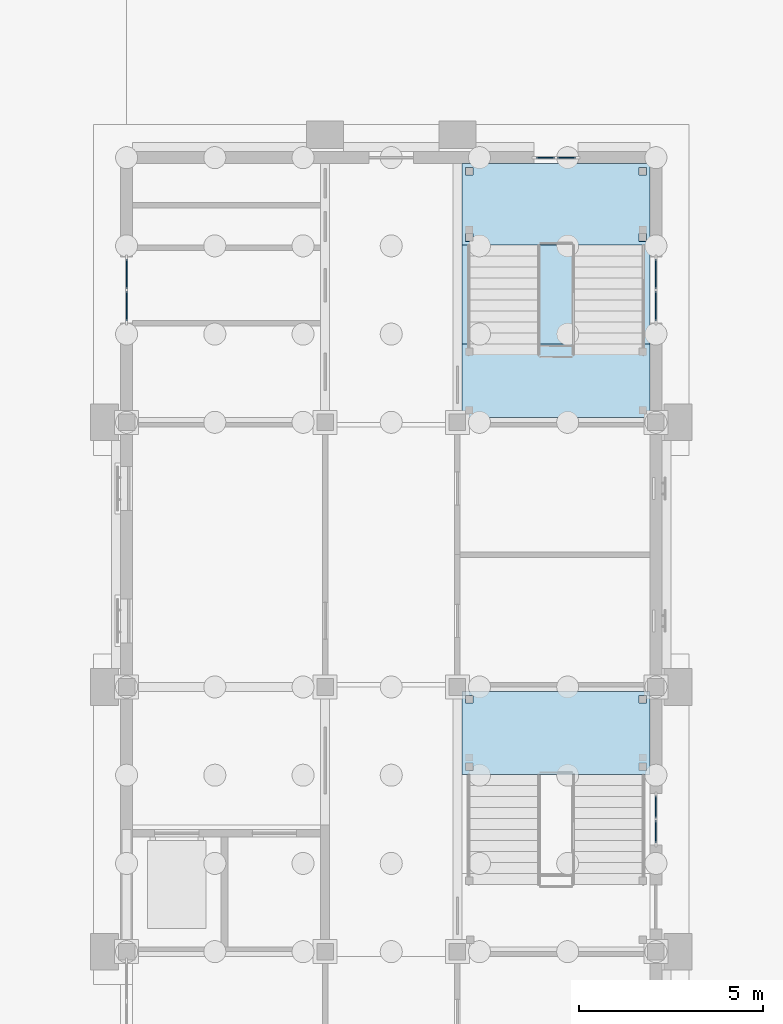
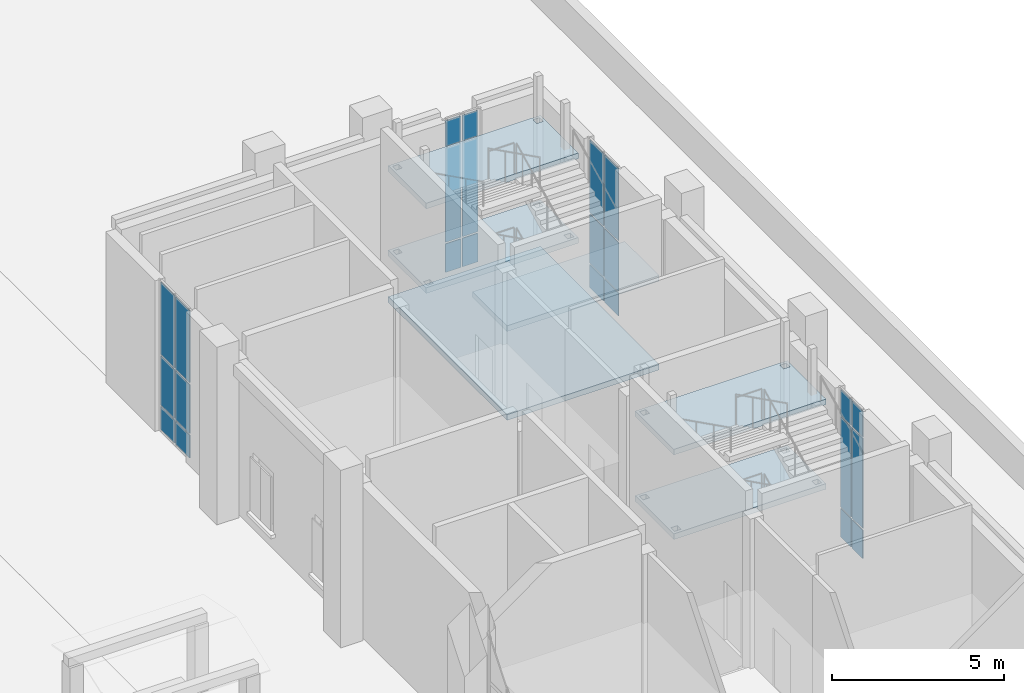
# One storey, part 29 of 84: 24 plates, 6 slabs, 6 elements without a shape of their own.
"""IFC4 building model written with IfcOpenShell, lengths in metres."""

from ifc_helpers import new_model, si_unit, direction, frame, origin, origin_2d, place, context, subcontext, project, spatial, polyline, rectangle, outline, extrude, material, layer, layer_set, type_object, element, aggregate, save


model = new_model("IFC4")

# Units and contexts
model_context = context("Model", 3, precision=1e-05, world=origin(), true_north=direction((0.0, 1.0)))
body_context = subcontext(model_context, "Body", "Model", "MODEL_VIEW")
ifc_project = project(units=[si_unit("LENGTHUNIT", "METRE"), si_unit("AREAUNIT", "SQUARE_METRE"), si_unit("VOLUMEUNIT", "CUBIC_METRE"), si_unit("PLANEANGLEUNIT", "RADIAN"), si_unit("MASSUNIT", "GRAM", prefix="KILO")], contexts=[model_context])

# Site, building, storey
site_placement = place(None, origin())
site = spatial("IfcSite", under=ifc_project, at=site_placement, CompositionType="ELEMENT")
building_placement = place(site_placement, origin())
building = spatial("IfcBuilding", under=site, at=building_placement, Name="Mazhai Court Health Centre", CompositionType="ELEMENT")
storey_placement = place(building_placement, origin())
storey = spatial("IfcBuildingStorey", under=building, at=storey_placement, Name="L00", CompositionType="ELEMENT", Elevation=0.0)

# Curtain wall, plates
ifc_material_1 = material(Name="Teak timber frame, glazed", Category="wood")
ifc_layer_1 = layer(ifc_material_1, 0.10009765625)
ifc_layer_set_1 = layer_set([ifc_layer_1], Name="CURTAIN WALL TIMBER 900")
curtain_wall_type_1 = type_object("IfcCurtainWallType", Name="CURTAIN WALL TIMBER 900", PredefinedType="NOTDEFINED", material=ifc_layer_set_1)
curtain_wall_1_placement = place(storey_placement, origin())
curtain_wall_1 = element("IfcCurtainWall", 1, at=curtain_wall_1_placement, inside=storey, type_object=curtain_wall_type_1, Name="CW-V6-L00-A5", PredefinedType="NOTDEFINED")
ifc_material_2 = material(Name="Glass IGU 28 mm", Category="glass")
ifc_layer_2 = layer(ifc_material_2, 0.028076171875)
ifc_layer_set_2 = layer_set([ifc_layer_2], Name="CW PANEL IGU 28")
plate_type = type_object("IfcPlateType", Name="CW PANEL IGU 28", PredefinedType="CURTAIN_PANEL", material=ifc_layer_set_2)
plate_1_placement = place(storey_placement, frame((135.800048828125, 45.364990234375, 0.06005859375), z_axis=(0.0, 0.0, 1.0), x_axis=(0.0, 1.0, 0.0)))
plate_1 = element("IfcPlate", 2, at=plate_1_placement, type_object=plate_type, Name="CW panel 1.1", PredefinedType="CURTAIN_PANEL", context=body_context, shape_type="SweptSolid", body=[
    extrude(rectangle(XDim=0.81005859375, YDim=0.028076171875, at=origin_2d()), origin(), (0.0, 0.0, 1.0), 0.81005859375),
])
plate_2_placement = place(storey_placement, frame((135.800048828125, 45.364990234375, 0.93017578125), z_axis=(0.0, 0.0, 1.0), x_axis=(0.0, 1.0, 0.0)))
plate_2 = element("IfcPlate", 3, at=plate_2_placement, type_object=plate_type, Name="CW panel 1.2", PredefinedType="CURTAIN_PANEL", context=body_context, shape_type="SweptSolid", body=[
    extrude(rectangle(XDim=0.81005859375, YDim=0.028076171875, at=origin_2d()), origin(), (0.0, 0.0, 1.0), 1.739990234375),
])
plate_3_placement = place(storey_placement, frame((135.800048828125, 45.364990234375, 2.72998046875), z_axis=(0.0, 0.0, 1.0), x_axis=(0.0, 1.0, 0.0)))
plate_3 = element("IfcPlate", 4, at=plate_3_placement, type_object=plate_type, Name="CW panel 1.3", PredefinedType="CURTAIN_PANEL", context=body_context, shape_type="SweptSolid", body=[
    extrude(rectangle(XDim=0.81005859375, YDim=0.028076171875, at=origin_2d()), origin(), (0.0, 0.0, 1.0), 2.56005859375),
])
plate_4_placement = place(storey_placement, frame((135.800048828125, 46.235107421875, 0.06005859375), z_axis=(0.0, 0.0, 1.0), x_axis=(0.0, 1.0, 0.0)))
plate_4 = element("IfcPlate", 5, at=plate_4_placement, type_object=plate_type, Name="CW panel 2.1", PredefinedType="CURTAIN_PANEL", context=body_context, shape_type="SweptSolid", body=[
    extrude(rectangle(XDim=0.81005859375, YDim=0.028076171875, at=origin_2d()), origin(), (0.0, 0.0, 1.0), 0.81005859375),
])
plate_5_placement = place(storey_placement, frame((135.800048828125, 46.235107421875, 0.93017578125), z_axis=(0.0, 0.0, 1.0), x_axis=(0.0, 1.0, 0.0)))
plate_5 = element("IfcPlate", 6, at=plate_5_placement, type_object=plate_type, Name="CW panel 2.2", PredefinedType="CURTAIN_PANEL", context=body_context, shape_type="SweptSolid", body=[
    extrude(rectangle(XDim=0.81005859375, YDim=0.028076171875, at=origin_2d()), origin(), (0.0, 0.0, 1.0), 1.739990234375),
])
plate_6_placement = place(storey_placement, frame((135.800048828125, 46.235107421875, 2.72998046875), z_axis=(0.0, 0.0, 1.0), x_axis=(0.0, 1.0, 0.0)))
plate_6 = element("IfcPlate", 7, at=plate_6_placement, type_object=plate_type, Name="CW panel 2.3", PredefinedType="CURTAIN_PANEL", context=body_context, shape_type="SweptSolid", body=[
    extrude(rectangle(XDim=0.81005859375, YDim=0.028076171875, at=origin_2d()), origin(), (0.0, 0.0, 1.0), 2.56005859375),
])
aggregate(curtain_wall_1, [plate_1, plate_2, plate_3, plate_4, plate_5, plate_6])

ifc_material_3 = material(Name="Teak timber frame, glazed", Category="wood")
ifc_layer_3 = layer(ifc_material_3, 0.10009765625)
ifc_layer_set_3 = layer_set([ifc_layer_3], Name="CURTAIN WALL TIMBER 600")
curtain_wall_type_2 = type_object("IfcCurtainWallType", Name="CURTAIN WALL TIMBER 600", PredefinedType="NOTDEFINED", material=ifc_layer_set_3)
curtain_wall_2_placement = place(storey_placement, origin())
curtain_wall_2 = element("IfcCurtainWall", 8, at=curtain_wall_2_placement, inside=storey, type_object=curtain_wall_type_2, Name="CW-V6-L00-B3", PredefinedType="NOTDEFINED")
plate_7_placement = place(storey_placement, frame((150.199951171875, 31.735107421875, 0.06005859375), z_axis=(0.0, 0.0, 1.0), x_axis=(0.0, -1.0, 0.0)))
plate_7 = element("IfcPlate", 9, at=plate_7_placement, type_object=plate_type, Name="CW panel 1.1", PredefinedType="CURTAIN_PANEL", context=body_context, shape_type="SweptSolid", body=[
    extrude(rectangle(XDim=0.610107421875, YDim=0.028076171875, at=origin_2d()), origin(), (0.0, 0.0, 1.0), 1.010009765625),
])
plate_8_placement = place(storey_placement, frame((150.199951171875, 31.735107421875, 1.130126953125), z_axis=(0.0, 0.0, 1.0), x_axis=(0.0, -1.0, 0.0)))
plate_8 = element("IfcPlate", 10, at=plate_8_placement, type_object=plate_type, Name="CW panel 1.2", PredefinedType="CURTAIN_PANEL", context=body_context, shape_type="SweptSolid", body=[
    extrude(rectangle(XDim=0.610107421875, YDim=0.028076171875, at=origin_2d()), origin(), (0.0, 0.0, 1.0), 3.18994140625),
])
plate_9_placement = place(storey_placement, frame((150.199951171875, 31.735107421875, 4.3798828125), z_axis=(0.0, 0.0, 1.0), x_axis=(0.0, -1.0, 0.0)))
plate_9 = element("IfcPlate", 11, at=plate_9_placement, type_object=plate_type, Name="CW panel 1.3", PredefinedType="CURTAIN_PANEL", context=body_context, shape_type="SweptSolid", body=[
    extrude(rectangle(XDim=0.610107421875, YDim=0.028076171875, at=origin_2d()), origin(), (0.0, 0.0, 1.0), 0.909912109375),
])
plate_10_placement = place(storey_placement, frame((150.199951171875, 31.06494140625, 0.06005859375), z_axis=(0.0, 0.0, 1.0), x_axis=(0.0, -1.0, 0.0)))
plate_10 = element("IfcPlate", 12, at=plate_10_placement, type_object=plate_type, Name="CW panel 2.1", PredefinedType="CURTAIN_PANEL", context=body_context, shape_type="SweptSolid", body=[
    extrude(rectangle(XDim=0.610107421875, YDim=0.028076171875, at=origin_2d()), origin(), (0.0, 0.0, 1.0), 1.010009765625),
])
plate_11_placement = place(storey_placement, frame((150.199951171875, 31.06494140625, 1.130126953125), z_axis=(0.0, 0.0, 1.0), x_axis=(0.0, -1.0, 0.0)))
plate_11 = element("IfcPlate", 13, at=plate_11_placement, type_object=plate_type, Name="CW panel 2.2", PredefinedType="CURTAIN_PANEL", context=body_context, shape_type="SweptSolid", body=[
    extrude(rectangle(XDim=0.610107421875, YDim=0.028076171875, at=origin_2d()), origin(), (0.0, 0.0, 1.0), 3.18994140625),
])
plate_12_placement = place(storey_placement, frame((150.199951171875, 31.06494140625, 4.3798828125), z_axis=(0.0, 0.0, 1.0), x_axis=(0.0, -1.0, 0.0)))
plate_12 = element("IfcPlate", 14, at=plate_12_placement, type_object=plate_type, Name="CW panel 2.3", PredefinedType="CURTAIN_PANEL", context=body_context, shape_type="SweptSolid", body=[
    extrude(rectangle(XDim=0.610107421875, YDim=0.028076171875, at=origin_2d()), origin(), (0.0, 0.0, 1.0), 0.909912109375),
])
aggregate(curtain_wall_2, [plate_7, plate_8, plate_9, plate_10, plate_11, plate_12])

curtain_wall_3_placement = place(storey_placement, origin())
curtain_wall_3 = element("IfcCurtainWall", 15, at=curtain_wall_3_placement, inside=storey, type_object=curtain_wall_type_1, Name="CW-V6-L00-B5", PredefinedType="NOTDEFINED")
plate_13_placement = place(storey_placement, frame((150.199951171875, 46.235107421875, 0.06005859375), z_axis=(0.0, 0.0, 1.0), x_axis=(0.0, -1.0, 0.0)))
plate_13 = element("IfcPlate", 16, at=plate_13_placement, type_object=plate_type, Name="CW panel 1.1", PredefinedType="CURTAIN_PANEL", context=body_context, shape_type="SweptSolid", body=[
    extrude(rectangle(XDim=0.81005859375, YDim=0.028076171875, at=origin_2d()), origin(), (0.0, 0.0, 1.0), 0.81005859375),
])
plate_14_placement = place(storey_placement, frame((150.199951171875, 46.235107421875, 0.93017578125), z_axis=(0.0, 0.0, 1.0), x_axis=(0.0, -1.0, 0.0)))
plate_14 = element("IfcPlate", 17, at=plate_14_placement, type_object=plate_type, Name="CW panel 1.2", PredefinedType="CURTAIN_PANEL", context=body_context, shape_type="SweptSolid", body=[
    extrude(rectangle(XDim=0.81005859375, YDim=0.028076171875, at=origin_2d()), origin(), (0.0, 0.0, 1.0), 1.739990234375),
])
plate_15_placement = place(storey_placement, frame((150.199951171875, 46.235107421875, 2.72998046875), z_axis=(0.0, 0.0, 1.0), x_axis=(0.0, -1.0, 0.0)))
plate_15 = element("IfcPlate", 18, at=plate_15_placement, type_object=plate_type, Name="CW panel 1.3", PredefinedType="CURTAIN_PANEL", context=body_context, shape_type="SweptSolid", body=[
    extrude(rectangle(XDim=0.81005859375, YDim=0.028076171875, at=origin_2d()), origin(), (0.0, 0.0, 1.0), 2.56005859375),
])
plate_16_placement = place(storey_placement, frame((150.199951171875, 45.364990234375, 0.06005859375), z_axis=(0.0, 0.0, 1.0), x_axis=(0.0, -1.0, 0.0)))
plate_16 = element("IfcPlate", 19, at=plate_16_placement, type_object=plate_type, Name="CW panel 2.1", PredefinedType="CURTAIN_PANEL", context=body_context, shape_type="SweptSolid", body=[
    extrude(rectangle(XDim=0.81005859375, YDim=0.028076171875, at=origin_2d()), origin(), (0.0, 0.0, 1.0), 0.81005859375),
])
plate_17_placement = place(storey_placement, frame((150.199951171875, 45.364990234375, 0.93017578125), z_axis=(0.0, 0.0, 1.0), x_axis=(0.0, -1.0, 0.0)))
plate_17 = element("IfcPlate", 20, at=plate_17_placement, type_object=plate_type, Name="CW panel 2.2", PredefinedType="CURTAIN_PANEL", context=body_context, shape_type="SweptSolid", body=[
    extrude(rectangle(XDim=0.81005859375, YDim=0.028076171875, at=origin_2d()), origin(), (0.0, 0.0, 1.0), 1.739990234375),
])
plate_18_placement = place(storey_placement, frame((150.199951171875, 45.364990234375, 2.72998046875), z_axis=(0.0, 0.0, 1.0), x_axis=(0.0, -1.0, 0.0)))
plate_18 = element("IfcPlate", 21, at=plate_18_placement, type_object=plate_type, Name="CW panel 2.3", PredefinedType="CURTAIN_PANEL", context=body_context, shape_type="SweptSolid", body=[
    extrude(rectangle(XDim=0.81005859375, YDim=0.028076171875, at=origin_2d()), origin(), (0.0, 0.0, 1.0), 2.56005859375),
])
aggregate(curtain_wall_3, [plate_13, plate_14, plate_15, plate_16, plate_17, plate_18])

curtain_wall_4_placement = place(storey_placement, origin())
curtain_wall_4 = element("IfcCurtainWall", 22, at=curtain_wall_4_placement, inside=storey, type_object=curtain_wall_type_2, Name="CW-V6-L00-ESTAIR0", PredefinedType="NOTDEFINED")
plate_19_placement = place(storey_placement, frame((147.195068359375, 49.39990234375, 0.06005859375), z_axis=(0.0, 0.0, 1.0), x_axis=(1.0, 0.0, 0.0)))
plate_19 = element("IfcPlate", 23, at=plate_19_placement, type_object=plate_type, Name="CW panel 1.1", PredefinedType="CURTAIN_PANEL", context=body_context, shape_type="SweptSolid", body=[
    extrude(rectangle(XDim=0.510009765625, YDim=0.028076171875, at=origin_2d()), origin(), (0.0, 0.0, 1.0), 1.010009765625),
])
plate_20_placement = place(storey_placement, frame((147.195068359375, 49.39990234375, 1.1298828125), z_axis=(0.0, 0.0, 1.0), x_axis=(1.0, 0.0, 0.0)))
plate_20 = element("IfcPlate", 24, at=plate_20_placement, type_object=plate_type, Name="CW panel 1.2", PredefinedType="CURTAIN_PANEL", context=body_context, shape_type="SweptSolid", body=[
    extrude(rectangle(XDim=0.510009765625, YDim=0.028076171875, at=origin_2d()), origin(), (0.0, 0.0, 1.0), 3.340087890625),
])
plate_21_placement = place(storey_placement, frame((147.195068359375, 49.39990234375, 4.5302734375), z_axis=(0.0, 0.0, 1.0), x_axis=(1.0, 0.0, 0.0)))
plate_21 = element("IfcPlate", 25, at=plate_21_placement, type_object=plate_type, Name="CW panel 1.3", PredefinedType="CURTAIN_PANEL", context=body_context, shape_type="SweptSolid", body=[
    extrude(rectangle(XDim=0.510009765625, YDim=0.028076171875, at=origin_2d()), origin(), (0.0, 0.0, 1.0), 0.909912109375),
])
plate_22_placement = place(storey_placement, frame((147.764892578125, 49.39990234375, 0.06005859375), z_axis=(0.0, 0.0, 1.0), x_axis=(1.0, 0.0, 0.0)))
plate_22 = element("IfcPlate", 26, at=plate_22_placement, type_object=plate_type, Name="CW panel 2.1", PredefinedType="CURTAIN_PANEL", context=body_context, shape_type="SweptSolid", body=[
    extrude(rectangle(XDim=0.510009765625, YDim=0.028076171875, at=origin_2d()), origin(), (0.0, 0.0, 1.0), 1.010009765625),
])
plate_23_placement = place(storey_placement, frame((147.764892578125, 49.39990234375, 1.1298828125), z_axis=(0.0, 0.0, 1.0), x_axis=(1.0, 0.0, 0.0)))
plate_23 = element("IfcPlate", 27, at=plate_23_placement, type_object=plate_type, Name="CW panel 2.2", PredefinedType="CURTAIN_PANEL", context=body_context, shape_type="SweptSolid", body=[
    extrude(rectangle(XDim=0.510009765625, YDim=0.028076171875, at=origin_2d()), origin(), (0.0, 0.0, 1.0), 3.340087890625),
])
plate_24_placement = place(storey_placement, frame((147.764892578125, 49.39990234375, 4.5302734375), z_axis=(0.0, 0.0, 1.0), x_axis=(1.0, 0.0, 0.0)))
plate_24 = element("IfcPlate", 28, at=plate_24_placement, type_object=plate_type, Name="CW panel 2.3", PredefinedType="CURTAIN_PANEL", context=body_context, shape_type="SweptSolid", body=[
    extrude(rectangle(XDim=0.510009765625, YDim=0.028076171875, at=origin_2d()), origin(), (0.0, 0.0, 1.0), 0.909912109375),
])
aggregate(curtain_wall_4, [plate_19, plate_20, plate_21, plate_22, plate_23, plate_24])

# Slab
ifc_material_4 = material(Name="Concrete M40", Category="concrete")
ifc_layer_4 = layer(ifc_material_4, 0.199951171875)
ifc_layer_set_4 = layer_set([ifc_layer_4], Name="RC STAIR GROUND SLAB 200 M40")
slab_type_1 = type_object("IfcSlabType", Name="RC STAIR GROUND SLAB 200 M40", PredefinedType="BASESLAB", material=ifc_layer_set_4)
slab_1_placement = place(storey_placement, frame((0.0, 0.0, -0.199951171875)))
element("IfcSlab", 29, at=slab_1_placement, inside=storey, type_object=slab_type_1, Name="core-C10-stair-ground-slab", PredefinedType="BASESLAB", context=body_context, shape_type="SweptSolid", body=[
    extrude(outline(polyline([(144.925048828125, 42.324951171875), (150.034912109375, 42.324951171875), (150.034912109375, 49.235107421875), (144.925048828125, 49.235107421875), (144.925048828125, 42.324951171875)])), origin(), (0.0, 0.0, 1.0), 0.199951171875),
])

# Stair, slabs
ifc_material_5 = material(Name="Concrete M40", Category="concrete")
stair_type = type_object("IfcStairType", Name="RC STAIR 2000 42R", PredefinedType="DOUBLE_RETURN_STAIR", material=ifc_material_5)
stair_1_placement = place(storey_placement, origin())
stair_1 = element("IfcStair", 30, at=stair_1_placement, inside=storey, type_object=stair_type, Name="L00 Stair 9", PredefinedType="DOUBLE_RETURN_STAIR")
ifc_material_6 = material(Name="Concrete M40", Category="concrete")
ifc_layer_5 = layer(ifc_material_6, 0.199951171875)
ifc_layer_set_5 = layer_set([ifc_layer_5], Name="RC STAIR LANDING 200 M40")
slab_type_2 = type_object("IfcSlabType", Name="RC STAIR LANDING 200 M40", PredefinedType="LANDING", material=ifc_layer_set_5)
slab_2_placement = place(storey_placement, frame((0.0, 0.0, 1.449951171875)))
slab_2 = element("IfcSlab", 31, at=slab_2_placement, type_object=slab_type_2, Name="ST9 landing 1", PredefinedType="LANDING", context=body_context, shape_type="SweptSolid", body=[
    extrude(outline(polyline([(150.034912109375, 32.625), (150.034912109375, 34.875), (144.925048828125, 34.875), (144.925048828125, 32.625), (150.034912109375, 32.625)]), holes=[polyline([(145.014892578125, 32.72509765625), (145.22509765625, 32.72509765625), (145.22509765625, 32.93505859375), (145.014892578125, 32.93505859375), (145.014892578125, 32.72509765625)]), polyline([(145.014892578125, 34.56494140625), (145.22509765625, 34.56494140625), (145.22509765625, 34.77490234375), (145.014892578125, 34.77490234375), (145.014892578125, 34.56494140625)]), polyline([(149.735107421875, 32.72509765625), (149.945068359375, 32.72509765625), (149.945068359375, 32.93505859375), (149.735107421875, 32.93505859375), (149.735107421875, 32.72509765625)]), polyline([(149.735107421875, 34.56494140625), (149.945068359375, 34.56494140625), (149.945068359375, 34.77490234375), (149.735107421875, 34.77490234375), (149.735107421875, 34.56494140625)])]), origin(), (0.0, 0.0, 1.0), 0.199951171875),
])
slab_3_placement = place(storey_placement, frame((0.0, 0.0, 4.449951171875)))
slab_3 = element("IfcSlab", 32, at=slab_3_placement, type_object=slab_type_2, Name="ST9 landing 3", PredefinedType="LANDING", context=body_context, shape_type="SweptSolid", body=[
    extrude(outline(polyline([(150.034912109375, 32.625), (150.034912109375, 34.875), (144.925048828125, 34.875), (144.925048828125, 32.625), (150.034912109375, 32.625)]), holes=[polyline([(145.014892578125, 34.56494140625), (145.22509765625, 34.56494140625), (145.22509765625, 34.77490234375), (145.014892578125, 34.77490234375), (145.014892578125, 34.56494140625)]), polyline([(149.735107421875, 34.56494140625), (149.945068359375, 34.56494140625), (149.945068359375, 34.77490234375), (149.735107421875, 34.77490234375), (149.735107421875, 34.56494140625)])]), origin(), (0.0, 0.0, 1.0), 0.199951171875),
])
aggregate(stair_1, [slab_2, slab_3])

stair_2_placement = place(storey_placement, origin())
stair_2 = element("IfcStair", 33, at=stair_2_placement, inside=storey, type_object=stair_type, Name="L00 Stair 10", PredefinedType="DOUBLE_RETURN_STAIR")
slab_4_placement = place(storey_placement, frame((0.0, 0.0, 1.449951171875)))
slab_4 = element("IfcSlab", 34, at=slab_4_placement, type_object=slab_type_2, Name="ST10 landing 1", PredefinedType="LANDING", context=body_context, shape_type="SweptSolid", body=[
    extrude(outline(polyline([(150.034912109375, 47.02490234375), (150.034912109375, 49.235107421875), (144.925048828125, 49.235107421875), (144.925048828125, 47.02490234375), (150.034912109375, 47.02490234375)]), holes=[polyline([(145.014892578125, 47.125), (145.22509765625, 47.125), (145.22509765625, 47.3349609375), (145.014892578125, 47.3349609375), (145.014892578125, 47.125)]), polyline([(145.014892578125, 48.925048828125), (145.22509765625, 48.925048828125), (145.22509765625, 49.135009765625), (145.014892578125, 49.135009765625), (145.014892578125, 48.925048828125)]), polyline([(149.735107421875, 47.125), (149.945068359375, 47.125), (149.945068359375, 47.3349609375), (149.735107421875, 47.3349609375), (149.735107421875, 47.125)]), polyline([(149.735107421875, 48.925048828125), (149.945068359375, 48.925048828125), (149.945068359375, 49.135009765625), (149.735107421875, 49.135009765625), (149.735107421875, 48.925048828125)])]), origin(), (0.0, 0.0, 1.0), 0.199951171875),
])
slab_5_placement = place(storey_placement, frame((0.0, 0.0, 2.949951171875)))
slab_5 = element("IfcSlab", 35, at=slab_5_placement, type_object=slab_type_2, Name="ST10 landing 2", PredefinedType="LANDING", context=body_context, shape_type="SweptSolid", body=[
    extrude(outline(polyline([(150.034912109375, 42.324951171875), (150.034912109375, 44.324951171875), (144.925048828125, 44.324951171875), (144.925048828125, 42.324951171875), (150.034912109375, 42.324951171875)])), origin(), (0.0, 0.0, 1.0), 0.199951171875),
])
slab_6_placement = place(storey_placement, frame((0.0, 0.0, 4.449951171875)))
slab_6 = element("IfcSlab", 36, at=slab_6_placement, type_object=slab_type_2, Name="ST10 landing 3", PredefinedType="LANDING", context=body_context, shape_type="SweptSolid", body=[
    extrude(outline(polyline([(150.034912109375, 47.02490234375), (150.034912109375, 49.235107421875), (144.925048828125, 49.235107421875), (144.925048828125, 47.02490234375), (150.034912109375, 47.02490234375)]), holes=[polyline([(145.014892578125, 48.925048828125), (145.22509765625, 48.925048828125), (145.22509765625, 49.135009765625), (145.014892578125, 49.135009765625), (145.014892578125, 48.925048828125)]), polyline([(149.735107421875, 48.925048828125), (149.945068359375, 48.925048828125), (149.945068359375, 49.135009765625), (149.735107421875, 49.135009765625), (149.735107421875, 48.925048828125)])]), origin(), (0.0, 0.0, 1.0), 0.199951171875),
])
aggregate(stair_2, [slab_4, slab_5, slab_6])

save(model, "model.ifc")
